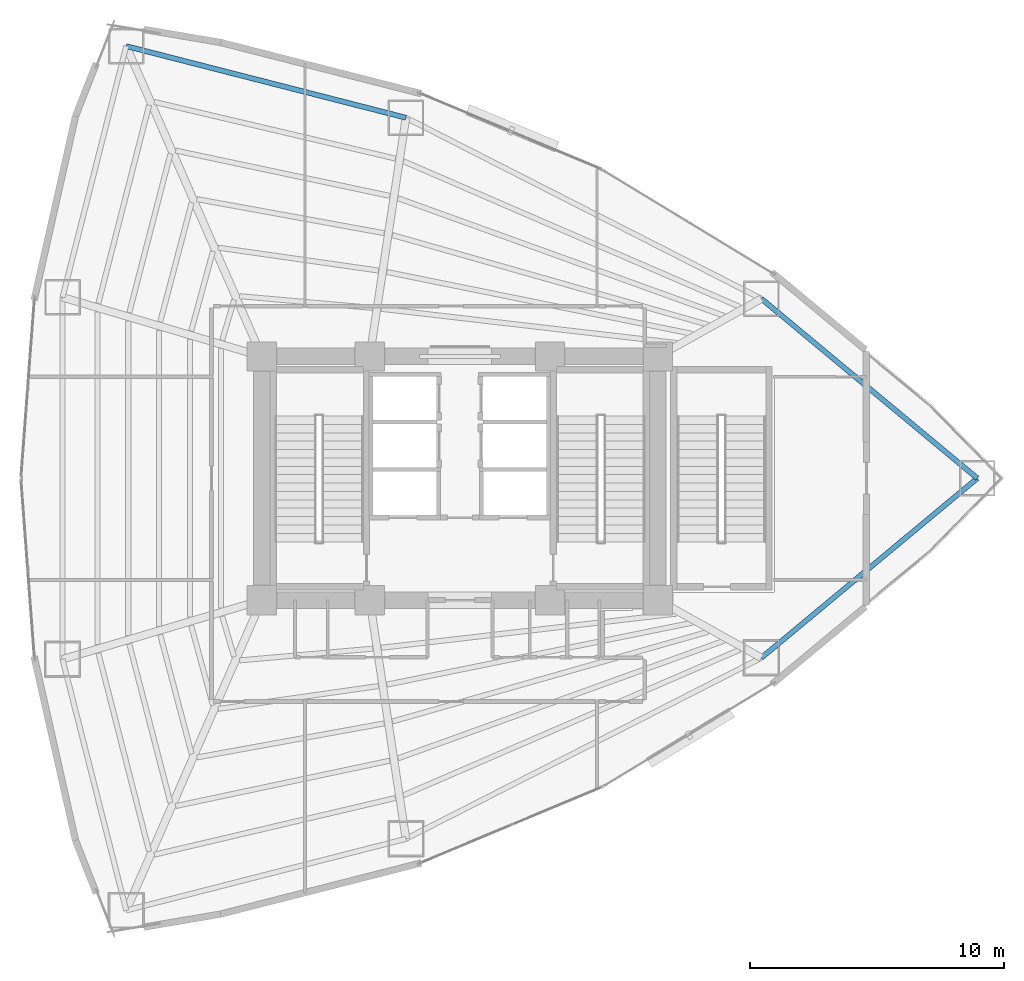
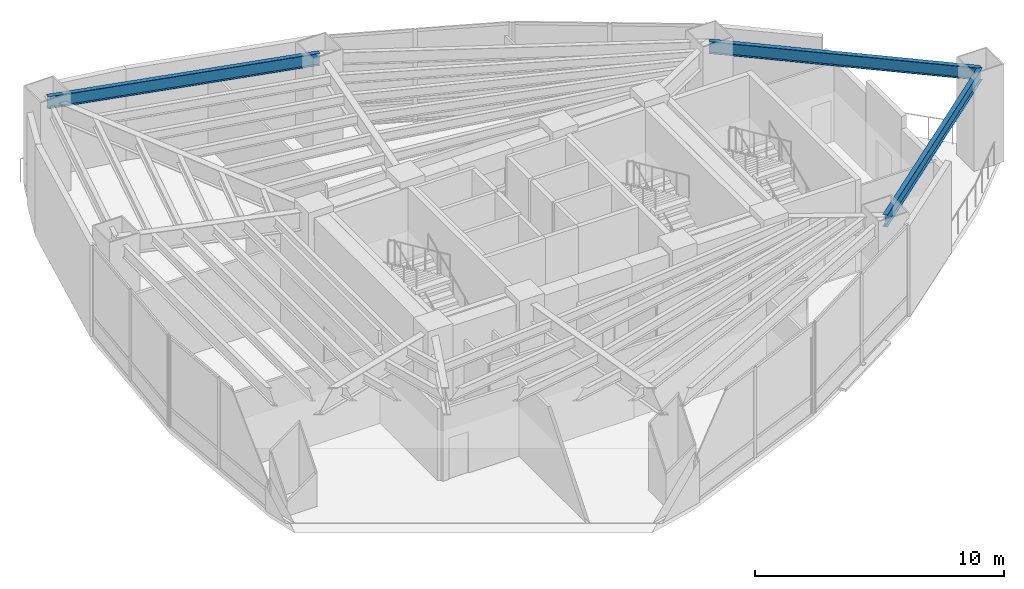
# One storey, part 11 of 18: 3 beams.
"""IFC4 building model written with IfcOpenShell, lengths in metres."""

from ifc_helpers import new_model, si_unit, direction, frame, origin, origin_2d, place, context, subcontext, project, spatial, i_section, extrude, material, material_profile, profile_set, type_object, element, save


model = new_model("IFC4")

# Units and contexts
model_context = context("Model", 3, precision=1e-05, world=origin(), true_north=direction((0.0, 1.0)))
body_context = subcontext(model_context, "Body", "Model", "MODEL_VIEW")
ifc_project = project(units=[si_unit("LENGTHUNIT", "METRE"), si_unit("AREAUNIT", "SQUARE_METRE"), si_unit("VOLUMEUNIT", "CUBIC_METRE"), si_unit("PLANEANGLEUNIT", "RADIAN"), si_unit("MASSUNIT", "GRAM", prefix="KILO")], contexts=[model_context])

# Site, building, storey
site_placement = place(None, origin())
site = spatial("IfcSite", under=ifc_project, at=site_placement, CompositionType="ELEMENT")
building_placement = place(site_placement, origin())
building = spatial("IfcBuilding", under=site, at=building_placement, Name="Menara Vayukalpa", CompositionType="ELEMENT")
storey_placement = place(building_placement, frame((0.0, 0.0, 18.0)))
storey = spatial("IfcBuildingStorey", under=building, at=storey_placement, Name="L03", CompositionType="ELEMENT", Elevation=18.0)

# Beams
ifc_material = material(Name="Steel S355", Category="steel")
ifc_material_profile = material_profile(ifc_material, i_section(OverallWidth=0.199951171875, OverallDepth=0.60009765625, WebThickness=0.010986328125, FlangeThickness=0.01708984375, at=origin_2d()), Name="WF 600x200x11x17")
ifc_profile_set = profile_set([ifc_material_profile], Name="Steel S355")
beam_type = type_object("IfcBeamType", Name="BM-SP1", PredefinedType="SPANDREL", material=ifc_profile_set)
beam_1_placement = place(storey_placement, frame((45.979248046875, 22.0, 4.179931640625), z_axis=(-0.768967992195, 0.639287280477, 0.0), x_axis=(-0.639287280477, -0.768967992195, 0.0)))
element("IfcBeam", 1, at=beam_1_placement, inside=storey, type_object=beam_type, Name="L03 Perimeter Spandrel Beam SP01", PredefinedType="SPANDREL", context=body_context, shape_type="SweptSolid", body=[
    extrude(i_section(OverallWidth=0.199951171875, OverallDepth=0.60009765625, WebThickness=0.010986328125, FlangeThickness=0.01708984375, at=origin_2d()), origin(), (0.0, 0.0, 1.0), 11.060546875),
])
beam_2_placement = place(storey_placement, frame((23.4755859375, 36.19970703125, 4.179931640625), z_axis=(-0.968770804637, 0.247957915953, 0.0), x_axis=(-0.247957915953, -0.968770804637, 0.0)))
element("IfcBeam", 2, at=beam_2_placement, inside=storey, type_object=beam_type, Name="L03 Perimeter Spandrel Beam SP03", PredefinedType="SPANDREL", context=body_context, shape_type="SweptSolid", body=[
    extrude(i_section(OverallWidth=0.199951171875, OverallDepth=0.60009765625, WebThickness=0.010986328125, FlangeThickness=0.01708984375, at=origin_2d()), origin(), (0.0, 0.0, 1.0), 11.3701171875),
])
beam_3_placement = place(storey_placement, frame((37.47412109375, 14.92919921875, 4.179931640625), z_axis=(0.768967992195, 0.639287280477, 0.0), x_axis=(-0.639287280477, 0.768967992195, 0.0)))
element("IfcBeam", 3, at=beam_3_placement, inside=storey, type_object=beam_type, Name="L03 Perimeter Spandrel Beam SP09", PredefinedType="SPANDREL", context=body_context, shape_type="SweptSolid", body=[
    extrude(i_section(OverallWidth=0.199951171875, OverallDepth=0.60009765625, WebThickness=0.010986328125, FlangeThickness=0.01708984375, at=origin_2d()), origin(), (0.0, 0.0, 1.0), 11.060546875),
])

save(model, "model.ifc")
